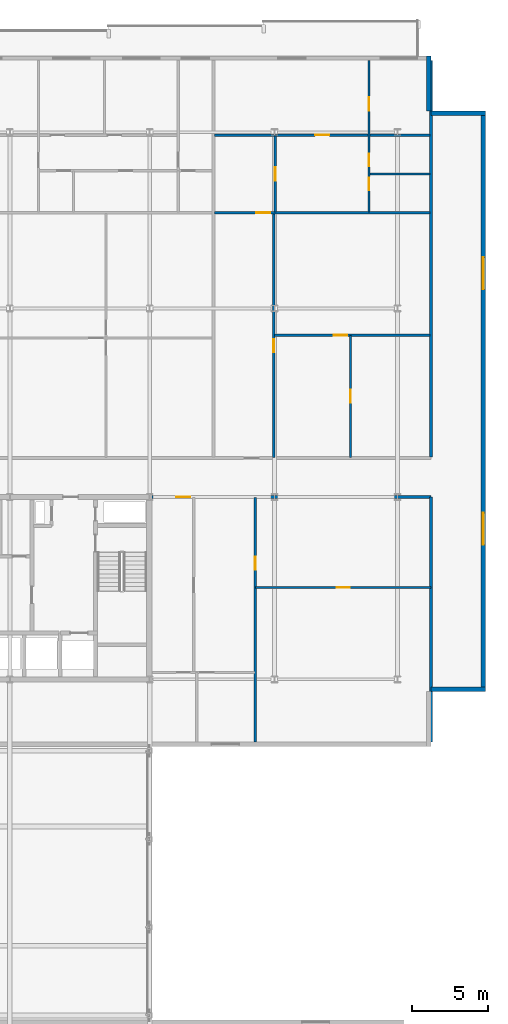
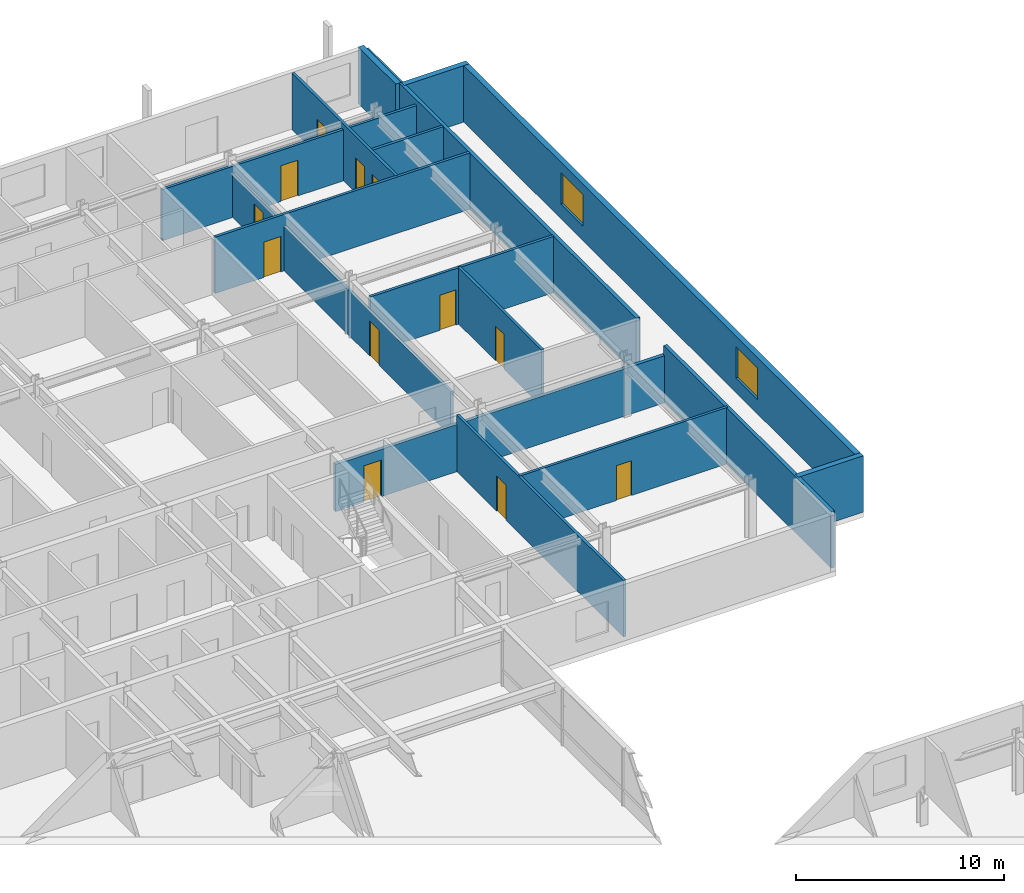
# One storey, part 29 of 36: 17 walls, 12 doors, 2 windows, 14 openings.
"""IFC4 building model written with IfcOpenShell, lengths in metres."""

from ifc_helpers import new_model, si_unit, direction, frame, frame_2d, origin, place, context, subcontext, project, spatial, rectangle, extrude, material, layer, layer_set, type_object, element, fill, save


model = new_model("IFC4")

# Units and contexts
model_context = context("Model", 3, precision=1e-05, world=origin(), true_north=direction((0.0, 1.0)))
body_context = subcontext(model_context, "Body", "Model", "MODEL_VIEW")
ifc_project = project(units=[si_unit("LENGTHUNIT", "METRE"), si_unit("AREAUNIT", "SQUARE_METRE"), si_unit("VOLUMEUNIT", "CUBIC_METRE"), si_unit("PLANEANGLEUNIT", "RADIAN"), si_unit("MASSUNIT", "GRAM", prefix="KILO")], contexts=[model_context])

# Site, building, storey
site_placement = place(None, origin())
site = spatial("IfcSite", under=ifc_project, at=site_placement, CompositionType="ELEMENT")
building_placement = place(site_placement, origin())
building = spatial("IfcBuilding", under=site, at=building_placement, Name="Korimba Cascade Residences", CompositionType="ELEMENT")
storey_placement = place(building_placement, frame((0.0, 0.0, 139.300048828125)))
storey = spatial("IfcBuildingStorey", under=building, at=storey_placement, Name="L40", CompositionType="ELEMENT", Elevation=139.300048828125)

# Wall
ifc_material_1 = material(Name="Precast concrete C40/50", Category="concrete")
ifc_layer_1 = layer(ifc_material_1, 0.300048828125)
ifc_layer_set_1 = layer_set([ifc_layer_1], Name="Precast concrete C40/50")
wall_type_1 = type_object("IfcWallType", Name="EW-STONE-300", PredefinedType="STANDARD", material=ifc_layer_set_1)
wall_1_placement = place(storey_placement, frame((130.60009765625, 54.550048828125, 0.0), z_axis=(0.0, 0.0, 1.0), x_axis=(1.0, 0.0, 0.0)))
element("IfcWall", 1, at=wall_1_placement, inside=storey, type_object=wall_type_1, Name="L40 T1 Perimeter Stone Wall E02", PredefinedType="STANDARD", context=body_context, shape_type="SweptSolid", body=[
    extrude(rectangle(XDim=3.599853515625, YDim=0.300048828125, at=frame_2d((1.7998046875, 0.0))), origin(), (0.0, 0.0, 1.0), 3.31005859375),
])

# Wall, openings, windows
wall_2_placement = place(storey_placement, frame((134.050048828125, 54.39990234375, 0.0), z_axis=(0.0, 0.0, 1.0), x_axis=(0.0, 1.0, 0.0)))
wall_2 = element("IfcWall", 2, at=wall_2_placement, inside=storey, type_object=wall_type_1, Name="L40 T1 Perimeter Stone Wall E03", PredefinedType="STANDARD", context=body_context, shape_type="SweptSolid", body=[
    extrude(rectangle(XDim=38.2001953125, YDim=0.300048828125, at=frame_2d((19.10009765625, 0.0))), origin(), (0.0, 0.0, 1.0), 3.31005859375),
])
opening_1_placement = place(wall_2_placement, frame((9.64599609375, 0.0, 0.85009765625)))
opening_1 = element("IfcOpeningElement", 3, at=opening_1_placement, cuts=wall_2, Name="Opening W-03", PredefinedType="OPENING", context=body_context, shape_type="SweptSolid", body=[
    extrude(rectangle(XDim=2.10009765625, YDim=1.85009765625, at=frame_2d((1.050048828125, 0.925048828125))), frame((0.0, 0.16015625, 0.0), z_axis=(0.0, -1.0, 0.0), x_axis=(1.0, 0.0, 0.0)), (0.0, 0.0, 1.0), 0.320068359375),
])
opening_2_placement = place(wall_2_placement, frame((26.4541015625, 0.0, 0.85009765625)))
opening_2 = element("IfcOpeningElement", 4, at=opening_2_placement, cuts=wall_2, Name="Opening W-03", PredefinedType="OPENING", context=body_context, shape_type="SweptSolid", body=[
    extrude(rectangle(XDim=2.10009765625, YDim=1.85009765625, at=frame_2d((1.050048828125, 0.925048828125))), frame((0.0, 0.16015625, 0.0), z_axis=(0.0, -1.0, 0.0), x_axis=(1.0, 0.0, 0.0)), (0.0, 0.0, 1.0), 0.320068359375),
])
ifc_material_2 = material(Name="Double-Glazed Aluminium Window", Category="aluminium")
window_type = type_object("IfcWindowType", Name="WIN-CRN-2100", PartitioningType="DOUBLE_PANEL_HORIZONTAL", PredefinedType="WINDOW", material=ifc_material_2)
window_1_placement = place(opening_1_placement, origin())
window_1 = element("IfcWindow", 5, at=window_1_placement, inside=storey, type_object=window_type, Name="L40 T1 End View Window 3.1", OverallHeight=1.85009765625, OverallWidth=2.10009765625, PartitioningType="DOUBLE_PANEL_HORIZONTAL", PredefinedType="WINDOW", context=body_context, shape_type="SweptSolid", body=[
    extrude(rectangle(XDim=2.10009765625, YDim=1.85009765625, at=frame_2d((1.050048828125, 0.925048828125))), frame((0.0, 0.030029296875, 0.0), z_axis=(0.0, -1.0, 0.0), x_axis=(1.0, 0.0, 0.0)), (0.0, 0.0, 1.0), 0.06005859375),
])
fill(opening_1, window_1)
window_2_placement = place(opening_2_placement, origin())
window_2 = element("IfcWindow", 6, at=window_2_placement, inside=storey, type_object=window_type, Name="L40 T1 End View Window 3.2", OverallHeight=1.85009765625, OverallWidth=2.10009765625, PartitioningType="DOUBLE_PANEL_HORIZONTAL", PredefinedType="WINDOW", context=body_context, shape_type="SweptSolid", body=[
    extrude(rectangle(XDim=2.10009765625, YDim=1.85009765625, at=frame_2d((1.050048828125, 0.925048828125))), frame((0.0, 0.030029296875, 0.0), z_axis=(0.0, -1.0, 0.0), x_axis=(1.0, 0.0, 0.0)), (0.0, 0.0, 1.0), 0.06005859375),
])
fill(opening_2, window_2)

# Walls
for number, where, z_axis, x_axis, name in (
    (7, (134.199951171875, 92.449951171875, 0.0), (0.0, 0.0, 1.0), (-1.0, 0.0, 0.0), "L40 T1 Perimeter Stone Wall E04"),
    (8, (130.449951171875, 92.60009765625, 0.0), (0.0, 0.0, 1.0), (0.0, 1.0, 0.0), "L40 T1 Perimeter Stone Wall E05"),
):
    element("IfcWall", number, at=place(storey_placement, frame(where, z_axis=z_axis, x_axis=x_axis)), inside=storey, type_object=wall_type_1, Name=name, PredefinedType="STANDARD", context=body_context, shape_type="SweptSolid", body=[
        extrude(rectangle(XDim=3.599853515625, YDim=0.300048828125, at=frame_2d((1.7998046875, 0.0))), origin(), (0.0, 0.0, 1.0), 3.31005859375),
    ])
ifc_layer_2 = layer(ifc_material_1, 0.199951171875)
ifc_layer_set_2 = layer_set([ifc_layer_2], Name="Precast concrete C40/50")
wall_type_2 = type_object("IfcWallType", Name="WAL-IT-200", PredefinedType="PARTITIONING", material=ifc_layer_set_2)
wall_3_placement = place(storey_placement, frame((130.60009765625, 51.10009765625, 0.0), z_axis=(0.0, 0.0, 1.0), x_axis=(0.0, 1.0, 0.0)))
element("IfcWall", 9, at=wall_3_placement, inside=storey, type_object=wall_type_2, Name="L40 Partition Wall WAL-L40-T1-FE-WR", PredefinedType="PARTITIONING", context=body_context, shape_type="SweptSolid", body=[
    extrude(rectangle(XDim=16.099853515625, YDim=0.199951171875, at=frame_2d((8.0498046875, 0.0))), origin(), (0.0, 0.0, 1.0), 3.31005859375),
])

# Wall, opening, door
wall_4_placement = place(storey_placement, frame((112.25, 67.199951171875, 0.0), z_axis=(0.0, 0.0, 1.0), x_axis=(1.0, 0.0, 0.0)))
wall_4 = element("IfcWall", 10, at=wall_4_placement, inside=storey, type_object=wall_type_2, Name="L40 Partition Wall WAL-L40-T1-FE-N", PredefinedType="PARTITIONING", context=body_context, shape_type="SweptSolid", body=[
    extrude(rectangle(XDim=18.35009765625, YDim=0.199951171875, at=frame_2d((9.175048828125, 0.0))), origin(), (0.0, 0.0, 1.0), 2.773193359375),
])
opening_3_placement = place(wall_4_placement, frame((1.580078125, 0.0, 0.0)))
opening_3 = element("IfcOpeningElement", 11, at=opening_3_placement, cuts=wall_4, Name="Opening D-UN1", PredefinedType="OPENING", context=body_context, shape_type="SweptSolid", body=[
    extrude(rectangle(XDim=0.949951171875, YDim=2.14990234375, at=frame_2d((0.47509765625, 1.074951171875))), frame((0.0, 0.10986328125, 0.0), z_axis=(0.0, -1.0, 0.0), x_axis=(1.0, 0.0, 0.0)), (0.0, 0.0, 1.0), 0.219970703125),
])
ifc_material_3 = material(Name="Fire-Rated Hardwood Apartment Entrance Door", Category="wood")
door_type_1 = type_object("IfcDoorType", Name="DR-FD60-950", OperationType="NOTDEFINED", PredefinedType="DOOR", material=ifc_material_3)
door_1_placement = place(opening_3_placement, origin())
door_1 = element("IfcDoor", 12, at=door_1_placement, inside=storey, type_object=door_type_1, Name="L40-T1-FE Entrance Door", OperationType="SINGLE_SWING_RIGHT", OverallHeight=2.14990234375, OverallWidth=0.949951171875, PredefinedType="DOOR", context=body_context, shape_type="SweptSolid", body=[
    extrude(rectangle(XDim=0.949951171875, YDim=2.14990234375, at=frame_2d((0.47509765625, 1.074951171875))), frame((0.0, 0.02490234375, 0.0), z_axis=(0.0, -1.0, 0.0), x_axis=(1.0, 0.0, 0.0)), (0.0, 0.0, 1.0), 0.050048828125),
])
fill(opening_3, door_1)

# Wall
wall_5_placement = place(storey_placement, frame((130.60009765625, 69.830078125, 0.0), z_axis=(0.0, 0.0, 1.0), x_axis=(0.0, 1.0, 0.0)))
element("IfcWall", 13, at=wall_5_placement, inside=storey, type_object=wall_type_2, Name="L40 Partition Wall WAL-L40-T1-BNDWR", PredefinedType="PARTITIONING", context=body_context, shape_type="SweptSolid", body=[
    extrude(rectangle(XDim=26.06982421875, YDim=0.199951171875, at=frame_2d((13.034912109375, 0.0))), origin(), (0.0, 0.0, 1.0), 3.31005859375),
])

# Wall, opening, door
ifc_material_4 = material(Name="Insulated Acoustic Stud Partition", Category="gypsum")
ifc_layer_3 = layer(ifc_material_4, 0.14990234375)
ifc_layer_set_3 = layer_set([ifc_layer_3], Name="Insulated Acoustic Stud Partition")
wall_type_3 = type_object("IfcWallType", Name="WAL-PART-150", PredefinedType="PARTITIONING", material=ifc_layer_set_3)
wall_6_placement = place(storey_placement, frame((119.050048828125, 61.25, 0.0), z_axis=(0.0, 0.0, 1.0), x_axis=(1.0, 0.0, 0.0)))
wall_6 = element("IfcWall", 14, at=wall_6_placement, inside=storey, type_object=wall_type_3, Name="L40 Partition Wall WAL-L40-T1-FE-STH", PredefinedType="PARTITIONING", context=body_context, shape_type="SweptSolid", body=[
    extrude(rectangle(XDim=11.550048828125, YDim=0.14990234375, at=frame_2d((5.77490234375, 0.0))), origin(), (0.0, 0.0, 1.0), 3.31005859375),
])
opening_4_placement = place(wall_6_placement, frame((5.35498046875, 0.0, 0.0)))
opening_4 = element("IfcOpeningElement", 15, at=opening_4_placement, cuts=wall_6, Name="Opening D-BT1", PredefinedType="OPENING", context=body_context, shape_type="SweptSolid", body=[
    extrude(rectangle(XDim=0.840087890625, YDim=2.0400390625, at=frame_2d((0.419921875, 1.02001953125))), frame((0.0, 0.0849609375, 0.0), z_axis=(0.0, -1.0, 0.0), x_axis=(1.0, 0.0, 0.0)), (0.0, 0.0, 1.0), 0.169921875),
])
ifc_material_5 = material(Name="Moisture-Resistant Bathroom Timber Door", Category="wood")
door_type_2 = type_object("IfcDoorType", Name="DR-INT-850", OperationType="NOTDEFINED", PredefinedType="DOOR", material=ifc_material_5)
door_2_placement = place(opening_4_placement, origin())
door_2 = element("IfcDoor", 16, at=door_2_placement, inside=storey, type_object=door_type_2, Name="L40-T1-FE Dressing Store Door", OperationType="SINGLE_SWING_LEFT", OverallHeight=2.0400390625, OverallWidth=0.840087890625, PredefinedType="DOOR", context=body_context, shape_type="SweptSolid", body=[
    extrude(rectangle(XDim=0.840087890625, YDim=2.0400390625, at=frame_2d((0.419921875, 1.02001953125))), frame((0.0, 0.02490234375, 0.0), z_axis=(0.0, -1.0, 0.0), x_axis=(1.0, 0.0, 0.0)), (0.0, 0.0, 1.0), 0.050048828125),
])
fill(opening_4, door_2)

wall_7_placement = place(storey_placement, frame((119.050048828125, 51.10009765625, 0.0), z_axis=(0.0, 0.0, 1.0), x_axis=(0.0, 1.0, 0.0)))
wall_7 = element("IfcWall", 17, at=wall_7_placement, inside=storey, type_object=wall_type_3, Name="L40 Partition Wall WAL-L40-T1-FE-STV", PredefinedType="PARTITIONING", context=body_context, shape_type="SweptSolid", body=[
    extrude(rectangle(XDim=16.0498046875, YDim=0.14990234375, at=frame_2d((8.02490234375, 0.0))), origin(), (0.0, 0.0, 1.0), 3.31005859375),
])
opening_5_placement = place(wall_7_placement, frame((11.300048828125, 0.0, 0.0)))
opening_5 = element("IfcOpeningElement", 18, at=opening_5_placement, cuts=wall_7, Name="Opening D-IN2", PredefinedType="OPENING", context=body_context, shape_type="SweptSolid", body=[
    extrude(rectangle(XDim=0.8798828125, YDim=2.06005859375, at=frame_2d((0.43994140625, 1.030029296875))), frame((0.0, 0.0849609375, 0.0), z_axis=(0.0, -1.0, 0.0), x_axis=(1.0, 0.0, 0.0)), (0.0, 0.0, 1.0), 0.169921875),
])
ifc_material_6 = material(Name="Acoustic Timber Bedroom Door", Category="wood")
door_type_3 = type_object("IfcDoorType", Name="DR-INT-880", OperationType="NOTDEFINED", PredefinedType="DOOR", material=ifc_material_6)
door_3_placement = place(opening_5_placement, origin())
door_3 = element("IfcDoor", 19, at=door_3_placement, inside=storey, type_object=door_type_3, Name="L40-T1-FE Study Door", OperationType="SINGLE_SWING_RIGHT", OverallHeight=2.06005859375, OverallWidth=0.8798828125, PredefinedType="DOOR", context=body_context, shape_type="SweptSolid", body=[
    extrude(rectangle(XDim=0.8798828125, YDim=2.06005859375, at=frame_2d((0.43994140625, 1.030029296875))), frame((0.0, 0.02490234375, 0.0), z_axis=(0.0, -1.0, 0.0), x_axis=(1.0, 0.0, 0.0)), (0.0, 0.0, 1.0), 0.050048828125),
])
fill(opening_5, door_3)

wall_8_placement = place(storey_placement, frame((125.301513671875, 69.81005859375, 0.0), z_axis=(0.0, 0.0, 1.0), x_axis=(0.0, 1.0, 0.0)))
wall_8 = element("IfcWall", 20, at=wall_8_placement, inside=storey, type_object=wall_type_3, Name="L40 Partition Wall WAL-L40-T1-U04-FMV", PredefinedType="PARTITIONING", context=body_context, shape_type="SweptSolid", body=[
    extrude(rectangle(XDim=8.02490234375, YDim=0.14990234375, at=frame_2d((4.012451171875, 0.0))), origin(), (0.0, 0.0, 1.0), 3.31005859375),
])
opening_6_placement = place(wall_8_placement, frame((3.592529296875, 0.0, 0.0)))
opening_6 = element("IfcOpeningElement", 21, at=opening_6_placement, cuts=wall_8, Name="Opening D-BT1", PredefinedType="OPENING", context=body_context, shape_type="SweptSolid", body=[
    extrude(rectangle(XDim=0.840087890625, YDim=2.0400390625, at=frame_2d((0.419921875, 1.02001953125))), frame((0.0, 0.0849609375, 0.0), z_axis=(0.0, -1.0, 0.0), x_axis=(1.0, 0.0, 0.0)), (0.0, 0.0, 1.0), 0.169921875),
])
door_4_placement = place(opening_6_placement, origin())
door_4 = element("IfcDoor", 22, at=door_4_placement, inside=storey, type_object=door_type_2, Name="L40-T1-U04 Wardrobe Door", OperationType="SINGLE_SWING_RIGHT", OverallHeight=2.0400390625, OverallWidth=0.840087890625, PredefinedType="DOOR", context=body_context, shape_type="SweptSolid", body=[
    extrude(rectangle(XDim=0.840087890625, YDim=2.0400390625, at=frame_2d((0.419921875, 1.02001953125))), frame((0.0, 0.02490234375, 0.0), z_axis=(0.0, -1.0, 0.0), x_axis=(1.0, 0.0, 0.0)), (0.0, 0.0, 1.0), 0.050048828125),
])
fill(opening_6, door_4)

wall_9_placement = place(storey_placement, frame((120.32275390625, 77.8349609375, 0.0), z_axis=(0.0, 0.0, 1.0), x_axis=(1.0, 0.0, 0.0)))
wall_9 = element("IfcWall", 23, at=wall_9_placement, inside=storey, type_object=wall_type_3, Name="L40 Partition Wall WAL-L40-T1-U04-FMH", PredefinedType="PARTITIONING", context=body_context, shape_type="SweptSolid", body=[
    extrude(rectangle(XDim=10.197265625, YDim=0.14990234375, at=frame_2d((5.0986328125, 0.0))), origin(), (0.0, 0.0, 1.0), 3.31005859375),
])
opening_7_placement = place(wall_9_placement, frame((3.878662109375, 0.0, 0.0)))
opening_7 = element("IfcOpeningElement", 24, at=opening_7_placement, cuts=wall_9, Name="Opening D-IN2", PredefinedType="OPENING", context=body_context, shape_type="SweptSolid", body=[
    extrude(rectangle(XDim=0.8798828125, YDim=2.06005859375, at=frame_2d((0.43994140625, 1.030029296875))), frame((0.0, 0.0849609375, 0.0), z_axis=(0.0, -1.0, 0.0), x_axis=(1.0, 0.0, 0.0)), (0.0, 0.0, 1.0), 0.169921875),
])
door_5_placement = place(opening_7_placement, origin())
door_5 = element("IfcDoor", 25, at=door_5_placement, inside=storey, type_object=door_type_3, Name="L40-T1-U04 Library Salon Door", OperationType="SINGLE_SWING_LEFT", OverallHeight=2.06005859375, OverallWidth=0.8798828125, PredefinedType="DOOR", context=body_context, shape_type="SweptSolid", body=[
    extrude(rectangle(XDim=0.8798828125, YDim=2.06005859375, at=frame_2d((0.43994140625, 1.030029296875))), frame((0.0, 0.02490234375, 0.0), z_axis=(0.0, -1.0, 0.0), x_axis=(1.0, 0.0, 0.0)), (0.0, 0.0, 1.0), 0.050048828125),
])
fill(opening_7, door_5)

wall_10_placement = place(storey_placement, frame((120.2626953125, 69.81005859375, 0.0), z_axis=(0.0, 0.0, 1.0), x_axis=(0.0, 1.0, 0.0)))
wall_10 = element("IfcWall", 26, at=wall_10_placement, inside=storey, type_object=wall_type_3, Name="L40 Partition Wall WAL-L40-T1-U04-FV", PredefinedType="PARTITIONING", context=body_context, shape_type="SweptSolid", body=[
    extrude(rectangle(XDim=16.050048828125, YDim=0.14990234375, at=frame_2d((8.02490234375, 0.0))), origin(), (0.0, 0.0, 1.0), 2.616943359375),
])
opening_8_placement = place(wall_10_placement, frame((6.89501953125, 0.0, 0.0)))
opening_8 = element("IfcOpeningElement", 27, at=opening_8_placement, cuts=wall_10, Name="Opening D-IN2", PredefinedType="OPENING", context=body_context, shape_type="SweptSolid", body=[
    extrude(rectangle(XDim=0.8798828125, YDim=2.06005859375, at=frame_2d((0.43994140625, 1.030029296875))), frame((0.0, 0.0849609375, 0.0), z_axis=(0.0, -1.0, 0.0), x_axis=(1.0, 0.0, 0.0)), (0.0, 0.0, 1.0), 0.169921875),
])
door_6_placement = place(opening_8_placement, origin())
door_6 = element("IfcDoor", 28, at=door_6_placement, inside=storey, type_object=door_type_3, Name="L40-T1-U04 Media Lounge Door", OperationType="SINGLE_SWING_RIGHT", OverallHeight=2.06005859375, OverallWidth=0.8798828125, PredefinedType="DOOR", context=body_context, shape_type="SweptSolid", body=[
    extrude(rectangle(XDim=0.8798828125, YDim=2.06005859375, at=frame_2d((0.43994140625, 1.030029296875))), frame((0.0, 0.02490234375, 0.0), z_axis=(0.0, -1.0, 0.0), x_axis=(1.0, 0.0, 0.0)), (0.0, 0.0, 1.0), 0.050048828125),
])
fill(opening_8, door_6)

wall_11_placement = place(storey_placement, frame((120.36279296875, 85.93994140625, 0.0), z_axis=(0.0, 0.0, 1.0), x_axis=(0.0, 1.0, 0.0)))
wall_11 = element("IfcWall", 29, at=wall_11_placement, inside=storey, type_object=wall_type_3, Name="L40 Partition Wall WAL-L40-T1-U04-VDIN", PredefinedType="PARTITIONING", context=body_context, shape_type="SweptSolid", body=[
    extrude(rectangle(XDim=5.0, YDim=0.14990234375, at=frame_2d((2.5, 0.0))), origin(), (0.0, 0.0, 1.0), 2.616943359375),
])
opening_9_placement = place(wall_11_placement, frame((2.06005859375, 0.0, 0.0)))
opening_9 = element("IfcOpeningElement", 30, at=opening_9_placement, cuts=wall_11, Name="Opening D-IN2", PredefinedType="OPENING", context=body_context, shape_type="SweptSolid", body=[
    extrude(rectangle(XDim=0.8798828125, YDim=2.06005859375, at=frame_2d((0.43994140625, 1.030029296875))), frame((0.0, 0.0849609375, 0.0), z_axis=(0.0, -1.0, 0.0), x_axis=(1.0, 0.0, 0.0)), (0.0, 0.0, 1.0), 0.169921875),
])
door_7_placement = place(opening_9_placement, origin())
door_7 = element("IfcDoor", 31, at=door_7_placement, inside=storey, type_object=door_type_3, Name="L40-T1-U04 Dining Room Door", OperationType="SINGLE_SWING_LEFT", OverallHeight=2.06005859375, OverallWidth=0.8798828125, PredefinedType="DOOR", context=body_context, shape_type="SweptSolid", body=[
    extrude(rectangle(XDim=0.8798828125, YDim=2.06005859375, at=frame_2d((0.43994140625, 1.030029296875))), frame((0.0, 0.02490234375, 0.0), z_axis=(0.0, -1.0, 0.0), x_axis=(1.0, 0.0, 0.0)), (0.0, 0.0, 1.0), 0.050048828125),
])
fill(opening_9, door_7)

# Wall
wall_12_placement = place(storey_placement, frame((126.580078125, 88.43994140625, 0.0), z_axis=(0.0, 0.0, 1.0), x_axis=(1.0, 0.0, 0.0)))
element("IfcWall", 32, at=wall_12_placement, inside=storey, type_object=wall_type_3, Name="L40 Partition Wall WAL-L40-T1-U04-BLDIV", PredefinedType="PARTITIONING", context=body_context, shape_type="SweptSolid", body=[
    extrude(rectangle(XDim=3.93994140625, YDim=0.14990234375, at=frame_2d((1.969970703125, 0.0))), origin(), (0.0, 0.0, 1.0), 3.31005859375),
])

# Wall, openings, doors
wall_13_placement = place(storey_placement, frame((126.52001953125, 85.93994140625, 0.0), z_axis=(0.0, 0.0, 1.0), x_axis=(0.0, 1.0, 0.0)))
wall_13 = element("IfcWall", 33, at=wall_13_placement, inside=storey, type_object=wall_type_3, Name="L40 Partition Wall WAL-L40-T1-U04-V1", PredefinedType="PARTITIONING", context=body_context, shape_type="SweptSolid", body=[
    extrude(rectangle(XDim=9.9599609375, YDim=0.14990234375, at=frame_2d((4.97998046875, 0.0))), origin(), (0.0, 0.0, 1.0), 3.31005859375),
])
opening_10_placement = place(wall_13_placement, frame((1.430419921875, 0.0, 0.0)))
opening_10 = element("IfcOpeningElement", 34, at=opening_10_placement, cuts=wall_13, Name="Opening D-BT1", PredefinedType="OPENING", context=body_context, shape_type="SweptSolid", body=[
    extrude(rectangle(XDim=0.840087890625, YDim=2.0400390625, at=frame_2d((0.419921875, 1.02001953125))), frame((0.0, 0.0849609375, 0.0), z_axis=(0.0, -1.0, 0.0), x_axis=(1.0, 0.0, 0.0)), (0.0, 0.0, 1.0), 0.169921875),
])
opening_11_placement = place(wall_13_placement, frame((3.00244140625, 0.0, 0.0)))
opening_11 = element("IfcOpeningElement", 35, at=opening_11_placement, cuts=wall_13, Name="Opening D-BT1", PredefinedType="OPENING", context=body_context, shape_type="SweptSolid", body=[
    extrude(rectangle(XDim=0.840087890625, YDim=2.0400390625, at=frame_2d((0.419921875, 1.02001953125))), frame((0.0, 0.0849609375, 0.0), z_axis=(0.0, -1.0, 0.0), x_axis=(1.0, 0.0, 0.0)), (0.0, 0.0, 1.0), 0.169921875),
])
opening_12_placement = place(wall_13_placement, frame((6.66943359375, 0.0, 0.0)))
opening_12 = element("IfcOpeningElement", 36, at=opening_12_placement, cuts=wall_13, Name="Opening D-IN2", PredefinedType="OPENING", context=body_context, shape_type="SweptSolid", body=[
    extrude(rectangle(XDim=0.8798828125, YDim=2.06005859375, at=frame_2d((0.43994140625, 1.030029296875))), frame((0.0, 0.0849609375, 0.0), z_axis=(0.0, -1.0, 0.0), x_axis=(1.0, 0.0, 0.0)), (0.0, 0.0, 1.0), 0.169921875),
])
door_8_placement = place(opening_10_placement, origin())
door_8 = element("IfcDoor", 37, at=door_8_placement, inside=storey, type_object=door_type_2, Name="L40-T1-U04 Bathroom Door", OperationType="SINGLE_SWING_RIGHT", OverallHeight=2.0400390625, OverallWidth=0.840087890625, PredefinedType="DOOR", context=body_context, shape_type="SweptSolid", body=[
    extrude(rectangle(XDim=0.840087890625, YDim=2.0400390625, at=frame_2d((0.419921875, 1.02001953125))), frame((0.0, 0.02490234375, 0.0), z_axis=(0.0, -1.0, 0.0), x_axis=(1.0, 0.0, 0.0)), (0.0, 0.0, 1.0), 0.050048828125),
])
fill(opening_10, door_8)
door_9_placement = place(opening_11_placement, origin())
door_9 = element("IfcDoor", 38, at=door_9_placement, inside=storey, type_object=door_type_2, Name="L40-T1-U04 Laundry Door", OperationType="SINGLE_SWING_LEFT", OverallHeight=2.0400390625, OverallWidth=0.840087890625, PredefinedType="DOOR", context=body_context, shape_type="SweptSolid", body=[
    extrude(rectangle(XDim=0.840087890625, YDim=2.0400390625, at=frame_2d((0.419921875, 1.02001953125))), frame((0.0, 0.02490234375, 0.0), z_axis=(0.0, -1.0, 0.0), x_axis=(1.0, 0.0, 0.0)), (0.0, 0.0, 1.0), 0.050048828125),
])
fill(opening_11, door_9)
door_10_placement = place(opening_12_placement, origin())
door_10 = element("IfcDoor", 39, at=door_10_placement, inside=storey, type_object=door_type_3, Name="L40-T1-U04 Bedroom 1 Door", OperationType="SINGLE_SWING_RIGHT", OverallHeight=2.06005859375, OverallWidth=0.8798828125, PredefinedType="DOOR", context=body_context, shape_type="SweptSolid", body=[
    extrude(rectangle(XDim=0.8798828125, YDim=2.06005859375, at=frame_2d((0.43994140625, 1.030029296875))), frame((0.0, 0.02490234375, 0.0), z_axis=(0.0, -1.0, 0.0), x_axis=(1.0, 0.0, 0.0)), (0.0, 0.0, 1.0), 0.050048828125),
])
fill(opening_12, door_10)

# Wall, opening, door
wall_14_placement = place(storey_placement, frame((116.372802734375, 85.89990234375, 0.0), z_axis=(0.0, 0.0, 1.0), x_axis=(1.0, 0.0, 0.0)))
wall_14 = element("IfcWall", 40, at=wall_14_placement, inside=storey, type_object=wall_type_3, Name="L40 Partition Wall WAL-L40-T1-U04-MW", PredefinedType="PARTITIONING", context=body_context, shape_type="SweptSolid", body=[
    extrude(rectangle(XDim=14.147216796875, YDim=0.14990234375, at=frame_2d((7.07373046875, 0.0))), origin(), (0.0, 0.0, 1.0), 3.31005859375),
])
opening_13_placement = place(wall_14_placement, frame((2.719970703125, 0.0, 0.0)))
opening_13 = element("IfcOpeningElement", 41, at=opening_13_placement, cuts=wall_14, Name="Opening D-IN1", PredefinedType="OPENING", context=body_context, shape_type="SweptSolid", body=[
    extrude(rectangle(XDim=0.919921875, YDim=2.080078125, at=frame_2d((0.4599609375, 1.0400390625))), frame((0.0, 0.0849609375, 0.0), z_axis=(0.0, -1.0, 0.0), x_axis=(1.0, 0.0, 0.0)), (0.0, 0.0, 1.0), 0.169921875),
])
ifc_material_7 = material(Name="Acoustic Timber Living Door", Category="wood")
door_type_4 = type_object("IfcDoorType", Name="DR-INT-920", OperationType="NOTDEFINED", PredefinedType="DOOR", material=ifc_material_7)
door_11_placement = place(opening_13_placement, origin())
door_11 = element("IfcDoor", 42, at=door_11_placement, inside=storey, type_object=door_type_4, Name="L40-T1-U04 Kitchen Archway Door", OperationType="SINGLE_SWING_LEFT", OverallHeight=2.080078125, OverallWidth=0.919921875, PredefinedType="DOOR", context=body_context, shape_type="SweptSolid", body=[
    extrude(rectangle(XDim=0.919921875, YDim=2.080078125, at=frame_2d((0.4599609375, 1.0400390625))), frame((0.0, 0.02490234375, 0.0), z_axis=(0.0, -1.0, 0.0), x_axis=(1.0, 0.0, 0.0)), (0.0, 0.0, 1.0), 0.050048828125),
])
fill(opening_13, door_11)

wall_15_placement = place(storey_placement, frame((116.372802734375, 91.0, 0.0), z_axis=(0.0, 0.0, 1.0), x_axis=(1.0, 0.0, 0.0)))
wall_15 = element("IfcWall", 43, at=wall_15_placement, inside=storey, type_object=wall_type_3, Name="L40 Partition Wall WAL-L40-T1-U04-HZ", PredefinedType="PARTITIONING", context=body_context, shape_type="SweptSolid", body=[
    extrude(rectangle(XDim=14.147216796875, YDim=0.14990234375, at=frame_2d((7.07373046875, 0.0))), origin(), (0.0, 0.0, 1.0), 3.00341796875),
])
opening_14_placement = place(wall_15_placement, frame((6.603515625, 0.0, 0.0)))
opening_14 = element("IfcOpeningElement", 44, at=opening_14_placement, cuts=wall_15, Name="Opening D-IN0", PredefinedType="OPENING", context=body_context, shape_type="SweptSolid", body=[
    extrude(rectangle(XDim=0.93994140625, YDim=2.10009765625, at=frame_2d((0.469970703125, 1.050048828125))), frame((0.0, 0.0849609375, 0.0), z_axis=(0.0, -1.0, 0.0), x_axis=(1.0, 0.0, 0.0)), (0.0, 0.0, 1.0), 0.169921875),
])
ifc_material_8 = material(Name="Acoustic Timber Living Archway Door", Category="wood")
door_type_5 = type_object("IfcDoorType", Name="DR-INT-950", OperationType="NOTDEFINED", PredefinedType="DOOR", material=ifc_material_8)
door_12_placement = place(opening_14_placement, origin())
door_12 = element("IfcDoor", 45, at=door_12_placement, inside=storey, type_object=door_type_5, Name="L40-T1-U04 Living Archway Door", OperationType="SINGLE_SWING_RIGHT", OverallHeight=2.10009765625, OverallWidth=0.93994140625, PredefinedType="DOOR", context=body_context, shape_type="SweptSolid", body=[
    extrude(rectangle(XDim=0.93994140625, YDim=2.10009765625, at=frame_2d((0.469970703125, 1.050048828125))), frame((0.0, 0.02490234375, 0.0), z_axis=(0.0, -1.0, 0.0), x_axis=(1.0, 0.0, 0.0)), (0.0, 0.0, 1.0), 0.050048828125),
])
fill(opening_14, door_12)

save(model, "model.ifc")
